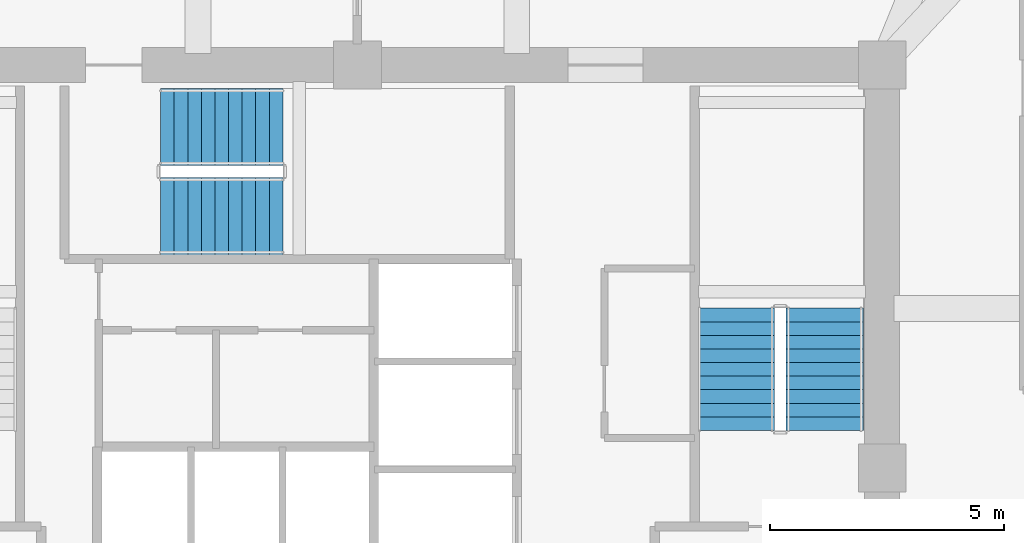
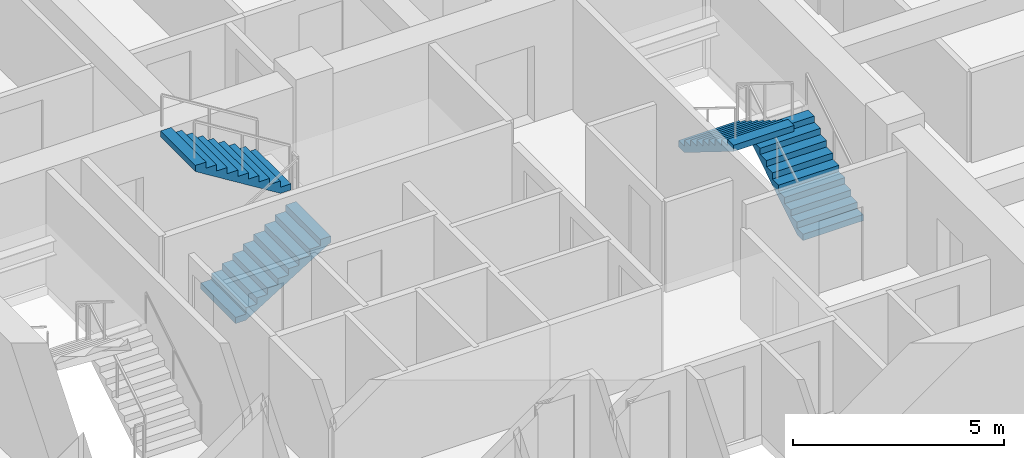
# One storey, part 11 of 13: 4 stair flights, 2 elements without a shape of their own.
"""IFC4 building model written with IfcOpenShell, lengths in metres."""

import ifcopenshell
import ifcopenshell.guid

model = None  # the IFC model being written
_history = None  # IfcOwnerHistory: only IFC2X3 demands one
_inside = {}  # id of a spatial element -> (the spatial element, [elements in it])
_under = {}  # id of a project, library or spatial element -> (it, [spatial elements below it])
_declared = {}  # id of a project -> (the project, [libraries it declares])
_typed = {}  # id of a type object -> (the type object, [elements of that type])
_made_of = {}  # id of a material, layer set ... -> (it, [elements and type objects made of it])


def new_model(schema):
    """Start an empty IFC model of exactly this schema.

    Asked for "IFC4X3", IfcOpenShell would pick the latest addendum, in which some entities
    have other attributes; the version numbers below select the first issue.
    IFC2X3 requires an IfcOwnerHistory on every rooted entity: one is made here for all.
    """
    global model, _history
    if schema == "IFC4X3":
        model = ifcopenshell.file(schema_version=(4, 3, 0, 0))
    else:
        model = ifcopenshell.file(schema=schema)
    _inside.clear()
    _under.clear()
    _declared.clear()
    _typed.clear()
    _made_of.clear()
    _history = None
    if model.schema == "IFC2X3":
        org = make("IfcOrganization", Name="unknown")
        user = make(
            "IfcPersonAndOrganization",
            ThePerson=make("IfcPerson", FamilyName="unknown"),
            TheOrganization=org,
        )
        app = make(
            "IfcApplication",
            ApplicationDeveloper=org,
            Version="unknown",
            ApplicationFullName="unknown",
            ApplicationIdentifier="unknown",
        )
        _history = make(
            "IfcOwnerHistory",
            OwningUser=user,
            OwningApplication=app,
            ChangeAction="ADDED",
            CreationDate=0,
        )
    return model


def make(cls, **values):
    """One entity of the class cls with the attributes given. An attribute that is None is left unset."""
    return model.create_entity(
        cls, **{name: value for name, value in values.items() if value is not None}
    )


def rooted(cls, **values):
    """An entity with a GlobalId (a new one), such as an element, a storey or a relation."""
    return make(cls, GlobalId=ifcopenshell.guid.new(), OwnerHistory=_history, **values)


def si_unit(unit_type, name, prefix=None):
    """IfcSIUnit, for example si_unit("LENGTHUNIT", "METRE", prefix="MILLI")."""
    return make("IfcSIUnit", UnitType=unit_type, Prefix=prefix, Name=name)


def derived_unit(unit_type, elements):
    """IfcDerivedUnit: a product of units, each with its exponent."""
    return make(
        "IfcDerivedUnit",
        Elements=[
            make("IfcDerivedUnitElement", Unit=unit, Exponent=power)
            for unit, power in elements
        ],
        UnitType=unit_type,
    )


def assignment(units):
    """IfcUnitAssignment: the units of a project."""
    return None if units is None else make("IfcUnitAssignment", Units=units)


def point(xyz):
    """IfcCartesianPoint."""
    return None if xyz is None else make("IfcCartesianPoint", Coordinates=xyz)


def direction(xyz):
    """IfcDirection."""
    return None if xyz is None else make("IfcDirection", DirectionRatios=xyz)


def frame(location, z_axis=None, x_axis=None):
    """IfcAxis2Placement3D, a coordinate frame: its origin and axes. An axis left out is left unset."""
    return make(
        "IfcAxis2Placement3D",
        Location=point(location),
        Axis=direction(z_axis),
        RefDirection=direction(x_axis),
    )


def origin():
    """The frame at (0, 0, 0) with its axes left unset."""
    return frame((0.0, 0.0, 0.0))


def place(relative_to, where):
    """IfcLocalPlacement: puts the frame where relative to a parent placement (None: the world)."""
    return make(
        "IfcLocalPlacement", PlacementRelTo=relative_to, RelativePlacement=where
    )


def context(
    kind, dimensions, precision=None, world=None, true_north=None, identifier=None
):
    """IfcGeometricRepresentationContext, for example the 3D "Model" context."""
    return make(
        "IfcGeometricRepresentationContext",
        ContextIdentifier=identifier,
        ContextType=kind,
        CoordinateSpaceDimension=dimensions,
        Precision=precision,
        WorldCoordinateSystem=world,
        TrueNorth=true_north,
    )


def subcontext(parent, identifier, kind, view, scale=None):
    """IfcGeometricRepresentationSubContext, for example "Body" below "Model"."""
    return make(
        "IfcGeometricRepresentationSubContext",
        ContextIdentifier=identifier,
        ContextType=kind,
        ParentContext=parent,
        TargetScale=scale,
        TargetView=view,
    )


def project(units=None, contexts=None):
    """IfcProject with its units and contexts."""
    return rooted(
        "IfcProject",
        Name="project",
        RepresentationContexts=contexts,
        UnitsInContext=assignment(units),
    )


def spatial(cls, under=None, at=None, **own):
    """A site, building, storey or space (cls), placed at a placement, below another one or the project."""
    s = rooted(cls, ObjectPlacement=at, **own)
    if under is not None:
        _under.setdefault(under.id(), (under, []))[1].append(s)
    return s


def polyline(points):
    """IfcPolyline through the points."""
    return make("IfcPolyline", Points=[point(p) for p in points])


def outline(outer, holes=None, kind="AREA"):
    """IfcArbitraryClosedProfileDef: a profile drawn as a closed curve; with holes, ...WithVoids."""
    if holes is None:
        return make("IfcArbitraryClosedProfileDef", ProfileType=kind, OuterCurve=outer)
    return make(
        "IfcArbitraryProfileDefWithVoids",
        ProfileType=kind,
        OuterCurve=outer,
        InnerCurves=holes,
    )


def extrude(swept, where, along, depth):
    """IfcExtrudedAreaSolid: the profile swept, set in the frame where, extruded along a direction by depth."""
    return make(
        "IfcExtrudedAreaSolid",
        SweptArea=swept,
        Position=where,
        ExtrudedDirection=direction(along),
        Depth=depth,
    )


def shape(context_of_items, identifier, shape_type, items):
    """IfcShapeRepresentation: the items that make up one representation, for example the "Body"."""
    return make(
        "IfcShapeRepresentation",
        ContextOfItems=context_of_items,
        RepresentationIdentifier=identifier,
        RepresentationType=shape_type,
        Items=items,
    )


def material(Name=None, Category=None):
    """IfcMaterial."""
    return make("IfcMaterial", Name=Name, Category=Category)


def made_of(thing, what):
    """Note that an element or type object is made of a material, layer set ...; save() writes the relation."""
    if what is not None:
        _made_of.setdefault(what.id(), (what, []))[1].append(thing)
    return thing


def type_object(cls, material=None, **own):
    """A type object (cls), such as IfcWallType, which elements share."""
    return made_of(rooted(cls, **own), material)


def element(
    cls,
    number,
    at=None,
    inside=None,
    cuts=None,
    type_object=None,
    material=None,
    context=None,
    identifier="Body",
    shape_type=None,
    held_by="IfcProductDefinitionShape",
    body=None,
    shapes=None,
    **own,
):
    """One element of the class cls, such as IfcWall. Its Tag is "e" and its number.

    at: its placement. inside: the storey or other place that contains it. cuts: it is an
    opening in that element (IfcRelVoidsElement). A single representation is given by context,
    identifier, shape_type and body (its items); several are given by shapes. held_by: the class
    of the entity that holds the representations. save() writes the other relations.
    """
    e = rooted(cls, Tag="e%d" % number, ObjectPlacement=at, **own)
    if body is not None:
        shapes = [shape(context, identifier, shape_type, body)]
    if shapes is not None:
        e.Representation = make(held_by, Representations=shapes)
    if inside is not None:
        _inside.setdefault(inside.id(), (inside, []))[1].append(e)
    if cuts is not None:
        rooted(
            "IfcRelVoidsElement", RelatingBuildingElement=cuts, RelatedOpeningElement=e
        )
    if type_object is not None:
        _typed.setdefault(type_object.id(), (type_object, []))[1].append(e)
    return made_of(e, material)


def aggregate(whole, parts):
    """IfcRelAggregates: a whole, such as a stair, and the parts it consists of."""
    return rooted("IfcRelAggregates", RelatingObject=whole, RelatedObjects=parts)


def save(model, path):
    """Write the relations noted so far, then the file.

    IfcRelAggregates (storeys below a building ...), IfcRelContainedInSpatialStructure (elements
    in a storey), IfcRelDefinesByType, IfcRelAssociatesMaterial and IfcRelDeclares: one each for
    every whole, place, type object, material and project.
    """
    for whole, parts in _under.values():
        aggregate(whole, parts)
    for where, things in _inside.values():
        rooted(
            "IfcRelContainedInSpatialStructure",
            RelatedElements=things,
            RelatingStructure=where,
        )
    for kind, things in _typed.values():
        rooted("IfcRelDefinesByType", RelatedObjects=things, RelatingType=kind)
    for what, things in _made_of.values():
        rooted("IfcRelAssociatesMaterial", RelatedObjects=things, RelatingMaterial=what)
    for by, libraries in _declared.values():
        rooted("IfcRelDeclares", RelatingContext=by, RelatedDefinitions=libraries)
    model.write(path)


model = new_model("IFC4")

# Units and contexts
model_context = context("Model", 3, precision=1e-05, world=origin(), true_north=direction((0.0, 1.0)))
body_context = subcontext(model_context, "Body", "Model", "MODEL_VIEW")
ifc_project = project(units=[si_unit("LENGTHUNIT", "METRE"), si_unit("AREAUNIT", "SQUARE_METRE"), si_unit("VOLUMEUNIT", "CUBIC_METRE"), si_unit("PLANEANGLEUNIT", "RADIAN"), si_unit("MASSUNIT", "GRAM", prefix="KILO"), derived_unit("THERMALTRANSMITTANCEUNIT", [(si_unit("POWERUNIT", "WATT"), 1), (si_unit("LENGTHUNIT", "METRE"), -2), (si_unit("THERMODYNAMICTEMPERATUREUNIT", "KELVIN"), -1)])], contexts=[model_context])

# Site, building, storey
site_placement = place(None, origin())
site = spatial("IfcSite", under=ifc_project, at=site_placement, CompositionType="ELEMENT")
building_placement = place(site_placement, origin())
building = spatial("IfcBuilding", under=site, at=building_placement, Name="Koralith Skygarden Medical Center", CompositionType="ELEMENT")
storey_placement = place(building_placement, frame((0.0, 0.0, 156.419921875)))
storey = spatial("IfcBuildingStorey", under=building, at=storey_placement, Name="L40", CompositionType="ELEMENT", Elevation=156.419921875)

# Stair, stair flights
ifc_material = material(Name="Concrete C45/55", Category="concrete")
stair_type = type_object("IfcStairType", Name="Core Exit Dogleg Concrete Stair", PredefinedType="HALF_TURN_STAIR", material=ifc_material)
stair_1_placement = place(storey_placement, origin())
stair_1 = element("IfcStair", 1, at=stair_1_placement, inside=storey, type_object=stair_type, Name="L40 Smokeproof Exit Stair ST2", PredefinedType="HALF_TURN_STAIR")
stair_flight_type = type_object("IfcStairFlightType", Name="Core Exit Concrete Stair Flight 1650", PredefinedType="STRAIGHT", material=ifc_material)
stair_flight_1_placement = place(storey_placement, frame((46.97509765625, 26.699951171875, 0.0), z_axis=(0.0, 0.0, 1.0), x_axis=(0.0, 1.0, 0.0)))
stair_flight_1 = element("IfcStairFlight", 2, at=stair_flight_1_placement, type_object=stair_flight_type, Name="ST2 flight 1", NumberOfRisers=10, NumberOfTreads=9, PredefinedType="STRAIGHT", RiserHeight=0.18, TreadLength=0.29, context=body_context, shape_type="SweptSolid", body=[
    extrude(outline(polyline([(0.0, 0.0), (0.0, 0.179931640625), (0.2900390625, 0.179931640625), (0.2900390625, 0.360107421875), (0.580078125, 0.360107421875), (0.580078125, 0.5400390625), (0.8701171875, 0.5400390625), (0.8701171875, 0.719970703125), (1.159912109375, 0.719970703125), (1.159912109375, 0.89990234375), (1.449951171875, 0.89990234375), (1.449951171875, 1.080078125), (1.739990234375, 1.080078125), (1.739990234375, 1.260009765625), (2.030029296875, 1.260009765625), (2.030029296875, 1.43994140625), (2.320068359375, 1.43994140625), (2.320068359375, 1.6201171875), (2.610107421875, 1.6201171875), (2.610107421875, 1.800048828125), (2.610107421875, 1.443603515625), (0.2841796875, 0.0), (0.0, 0.0)])), frame((0.0, 0.824951171875, 0.0), z_axis=(0.0, -1.0, 0.0), x_axis=(1.0, 0.0, 0.0)), (0.0, 0.0, 1.0), 1.64990234375),
])
stair_flight_2_placement = place(storey_placement, frame((45.074951171875, 29.31005859375, 1.800048828125), z_axis=(0.0, 0.0, 1.0), x_axis=(0.0, -1.0, 0.0)))
stair_flight_2 = element("IfcStairFlight", 3, at=stair_flight_2_placement, type_object=stair_flight_type, Name="ST2 flight 2", NumberOfRisers=10, NumberOfTreads=9, PredefinedType="STRAIGHT", RiserHeight=0.18, TreadLength=0.29, context=body_context, shape_type="SweptSolid", body=[
    extrude(outline(polyline([(0.0, 0.0), (0.0, 0.179931640625), (0.2900390625, 0.179931640625), (0.2900390625, 0.360107421875), (0.580078125, 0.360107421875), (0.580078125, 0.5400390625), (0.8701171875, 0.5400390625), (0.8701171875, 0.719970703125), (1.159912109375, 0.719970703125), (1.159912109375, 0.89990234375), (1.449951171875, 0.89990234375), (1.449951171875, 1.080078125), (1.739990234375, 1.080078125), (1.739990234375, 1.260009765625), (2.030029296875, 1.260009765625), (2.030029296875, 1.43994140625), (2.320068359375, 1.43994140625), (2.320068359375, 1.6201171875), (2.610107421875, 1.6201171875), (2.610107421875, 1.800048828125), (2.610107421875, 1.443603515625), (0.2841796875, 0.0), (0.0, 0.0)])), frame((0.0, 0.824951171875, 0.0), z_axis=(0.0, -1.0, 0.0), x_axis=(1.0, 0.0, 0.0)), (0.0, 0.0, 1.0), 1.64990234375),
])
aggregate(stair_1, [stair_flight_1, stair_flight_2])

stair_2_placement = place(storey_placement, origin())
stair_2 = element("IfcStair", 4, at=stair_2_placement, inside=storey, type_object=stair_type, Name="L40 Smokeproof Exit Stair ST3", PredefinedType="HALF_TURN_STAIR")
stair_flight_3_placement = place(storey_placement, frame((32.800048828125, 31.27490234375, 0.0), z_axis=(0.0, 0.0, 1.0), x_axis=(1.0, 0.0, 0.0)))
stair_flight_3 = element("IfcStairFlight", 5, at=stair_flight_3_placement, type_object=stair_flight_type, Name="ST3 flight 1", NumberOfRisers=10, NumberOfTreads=9, PredefinedType="STRAIGHT", RiserHeight=0.18, TreadLength=0.29, context=body_context, shape_type="SweptSolid", body=[
    extrude(outline(polyline([(0.0, 0.0), (0.0, 0.179931640625), (0.2900390625, 0.179931640625), (0.2900390625, 0.360107421875), (0.580078125, 0.360107421875), (0.580078125, 0.5400390625), (0.8701171875, 0.5400390625), (0.8701171875, 0.719970703125), (1.159912109375, 0.719970703125), (1.159912109375, 0.89990234375), (1.449951171875, 0.89990234375), (1.449951171875, 1.080078125), (1.739990234375, 1.080078125), (1.739990234375, 1.260009765625), (2.030029296875, 1.260009765625), (2.030029296875, 1.43994140625), (2.320068359375, 1.43994140625), (2.320068359375, 1.6201171875), (2.610107421875, 1.6201171875), (2.610107421875, 1.800048828125), (2.610107421875, 1.443603515625), (0.2841796875, 0.0), (0.0, 0.0)])), frame((0.0, 0.824951171875, 0.0), z_axis=(0.0, -1.0, 0.0), x_axis=(1.0, 0.0, 0.0)), (0.0, 0.0, 1.0), 1.64990234375),
])
stair_flight_4_placement = place(storey_placement, frame((35.409912109375, 33.175048828125, 1.800048828125), z_axis=(0.0, 0.0, 1.0), x_axis=(-1.0, 0.0, 0.0)))
stair_flight_4 = element("IfcStairFlight", 6, at=stair_flight_4_placement, type_object=stair_flight_type, Name="ST3 flight 2", NumberOfRisers=10, NumberOfTreads=9, PredefinedType="STRAIGHT", RiserHeight=0.18, TreadLength=0.29, context=body_context, shape_type="SweptSolid", body=[
    extrude(outline(polyline([(0.0, 0.0), (0.0, 0.179931640625), (0.2900390625, 0.179931640625), (0.2900390625, 0.360107421875), (0.580078125, 0.360107421875), (0.580078125, 0.5400390625), (0.8701171875, 0.5400390625), (0.8701171875, 0.719970703125), (1.159912109375, 0.719970703125), (1.159912109375, 0.89990234375), (1.449951171875, 0.89990234375), (1.449951171875, 1.080078125), (1.739990234375, 1.080078125), (1.739990234375, 1.260009765625), (2.030029296875, 1.260009765625), (2.030029296875, 1.43994140625), (2.320068359375, 1.43994140625), (2.320068359375, 1.6201171875), (2.610107421875, 1.6201171875), (2.610107421875, 1.800048828125), (2.610107421875, 1.443603515625), (0.2841796875, 0.0), (0.0, 0.0)])), frame((0.0, 0.824951171875, 0.0), z_axis=(0.0, -1.0, 0.0), x_axis=(1.0, 0.0, 0.0)), (0.0, 0.0, 1.0), 1.64990234375),
])
aggregate(stair_2, [stair_flight_3, stair_flight_4])

save(model, "model.ifc")
